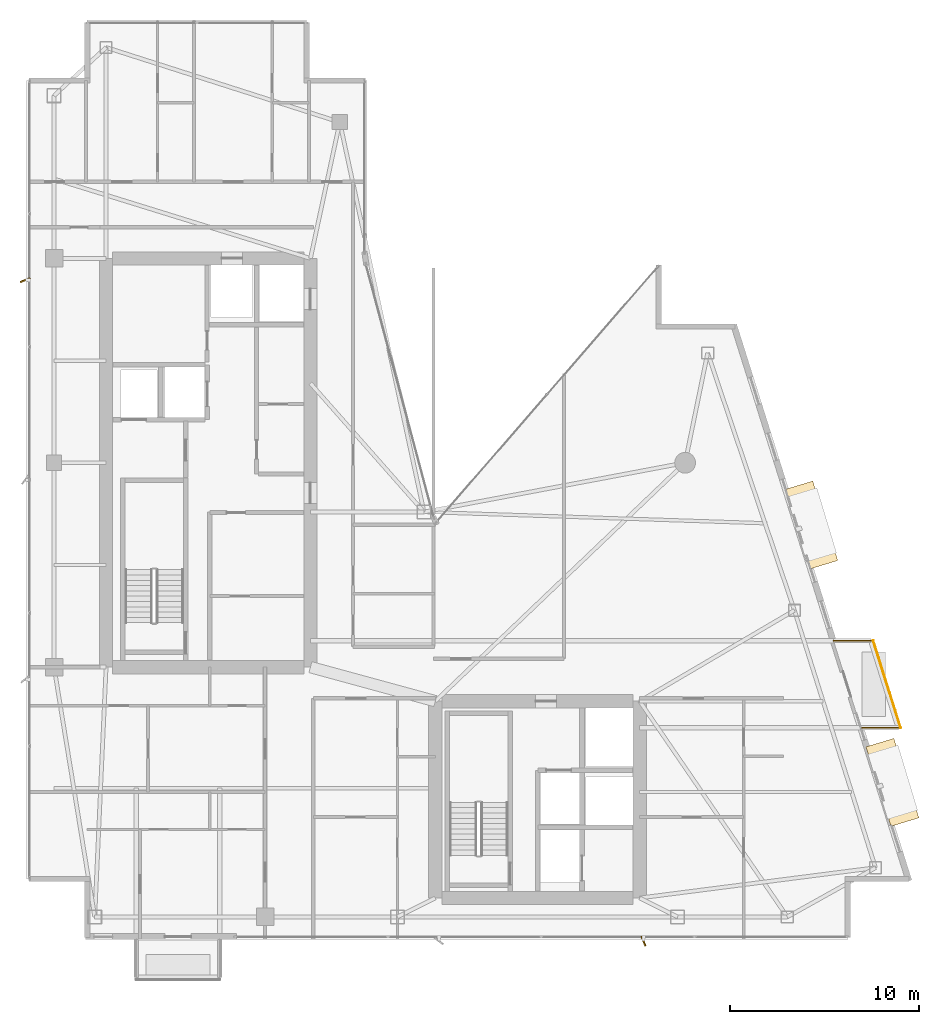
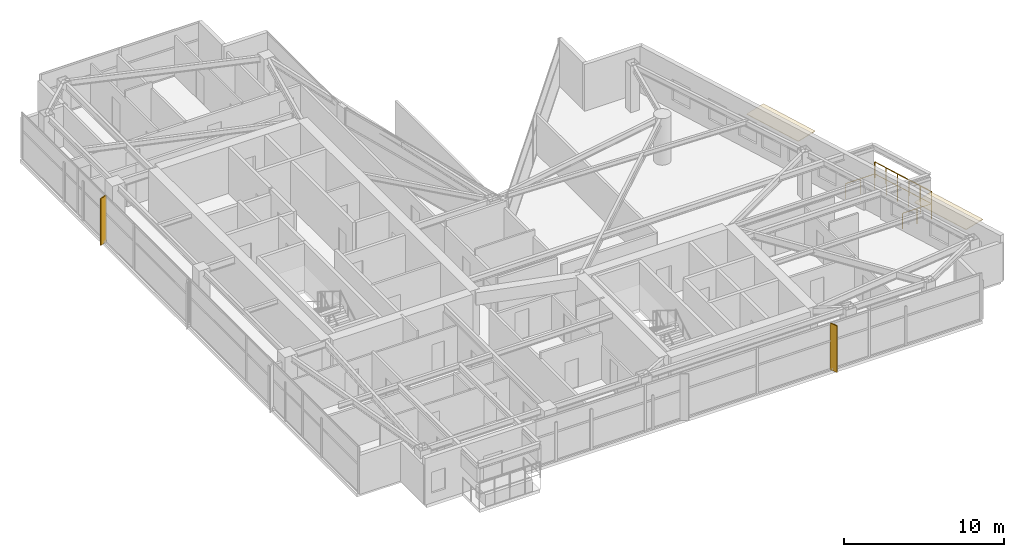
# One storey, part 29 of 29: 2 coverings, 2 railings, 2 shading devices.
"""IFC4 building model written with IfcOpenShell, lengths in metres."""

from ifc_helpers import new_model, si_unit, direction, frame, origin, origin_2d, place, context, subcontext, project, spatial, polyline, rectangle, circle, outline, extrude, material, layer, layer_set, type_object, element, save


model = new_model("IFC4")

# Units and contexts
model_context = context("Model", 3, precision=1e-05, world=origin(), true_north=direction((0.0, 1.0)))
body_context = subcontext(model_context, "Body", "Model", "MODEL_VIEW")
ifc_project = project(units=[si_unit("LENGTHUNIT", "METRE"), si_unit("AREAUNIT", "SQUARE_METRE"), si_unit("VOLUMEUNIT", "CUBIC_METRE"), si_unit("PLANEANGLEUNIT", "RADIAN"), si_unit("MASSUNIT", "GRAM", prefix="KILO")], contexts=[model_context])

# Site, building, storey
site_placement = place(None, origin())
site = spatial("IfcSite", under=ifc_project, at=site_placement, CompositionType="ELEMENT")
building_placement = place(site_placement, origin())
building = spatial("IfcBuilding", under=site, at=building_placement, Name="Calvorn Quay Hotel", CompositionType="ELEMENT")
storey_placement = place(building_placement, frame((0.0, 0.0, 247.60009765625)))
storey = spatial("IfcBuildingStorey", under=building, at=storey_placement, Name="L61", CompositionType="ELEMENT", Elevation=247.60009765625)

# Coverings
ifc_material_1 = material(Name="Pale Anodised Aluminium Rainscreen Cladding", Category="aluminium")
ifc_layer = layer(ifc_material_1, 0.044921875)
ifc_layer_set = layer_set([ifc_layer], Name="COV-CROWN-CLAD")
covering_type = type_object("IfcCoveringType", Name="COV-CROWN-CLAD", PredefinedType="CLADDING", material=ifc_layer_set)
covering_1_placement = place(storey_placement, frame((0.0, 0.0, 2.5048828125)))
element("IfcCovering", 1, at=covering_1_placement, inside=storey, type_object=covering_type, Name="Angled Bay Hood Canopy L61-HOOD-1", PredefinedType="CLADDING", context=body_context, shape_type="SweptSolid", body=[
    extrude(outline(polyline([(44.35693359375, 12.587890625), (45.8310546875, 13.034912109375), (47.154052734375, 8.8349609375), (45.679931640625, 8.387939453125), (44.35693359375, 12.587890625)])), origin(), (0.0, 0.0, 1.0), 0.044921875),
])
covering_2_placement = place(storey_placement, frame((0.0, 0.0, 2.5048828125)))
element("IfcCovering", 2, at=covering_2_placement, inside=storey, type_object=covering_type, Name="Angled Bay Hood Canopy L61-HOOD-3", PredefinedType="CLADDING", context=body_context, shape_type="SweptSolid", body=[
    extrude(outline(polyline([(40.072021484375, 26.18798828125), (41.544921875, 26.635009765625), (42.867919921875, 22.43505859375), (41.39501953125, 21.988037109375), (40.072021484375, 26.18798828125)])), origin(), (0.0, 0.0, 1.0), 0.044921875),
])

# Railings
ifc_material_2 = material(Name="Pale Anodised Aluminium and Laminated Glass", Category="aluminium")
railing_type = type_object("IfcRailingType", Name="RLG-BALUSTRADE-1200", PredefinedType="BALUSTRADE", material=ifc_material_2)
railing_1_placement = place(storey_placement, frame((44.089111328125, 13.60009765625, 0.0)))
element("IfcRailing", 3, at=railing_1_placement, inside=storey, type_object=railing_type, Name="Tree Balcony Perimeter Balustrade L61-BALC-E", PredefinedType="BALUSTRADE", context=body_context, shape_type="SweptSolid", body=[
    extrude(circle(Radius=0.02392578125, at=origin_2d()), frame((0.0, 0.0, 1.17578125), z_axis=(1.0, 0.0, 0.0), x_axis=(0.0, 1.0, 0.0)), (0.0, 0.0, 1.0), 2.099853515625),
    extrude(circle(Radius=0.02392578125, at=origin_2d()), frame((2.099853515625, 0.0, 1.17578125), z_axis=(-0.300450487966, 0.953797412599, 0.0), x_axis=(-0.953797412599, -0.300450487966, 0.0)), (0.0, 0.0, 1.0), 4.82275390625),
    extrude(circle(Radius=0.02392578125, at=origin_2d()), frame((0.65087890625, 4.599853515625, 1.17578125), z_axis=(-1.0, 0.0, 0.0), x_axis=(0.0, -1.0, 0.0)), (0.0, 0.0, 1.0), 2.10009765625),
    extrude(circle(Radius=0.02099609375, at=origin_2d()), origin(), (0.0, 0.0, 1.0), 1.15185546875),
    extrude(circle(Radius=0.02099609375, at=origin_2d()), frame((1.0498046875, 0.0, 0.0)), (0.0, 0.0, 1.0), 1.15185546875),
    extrude(circle(Radius=0.02099609375, at=origin_2d()), frame((2.099853515625, 0.0, 0.0)), (0.0, 0.0, 1.0), 1.15185546875),
    extrude(circle(Radius=0.02099609375, at=origin_2d()), frame((1.81005859375, 0.919921875, 0.0)), (0.0, 0.0, 1.0), 1.15185546875),
    extrude(circle(Radius=0.02099609375, at=origin_2d()), frame((1.520263671875, 1.83984375, 0.0)), (0.0, 0.0, 1.0), 1.15185546875),
    extrude(circle(Radius=0.02099609375, at=origin_2d()), frame((1.23046875, 2.760009765625, 0.0)), (0.0, 0.0, 1.0), 1.15185546875),
    extrude(circle(Radius=0.02099609375, at=origin_2d()), frame((0.940673828125, 3.679931640625, 0.0)), (0.0, 0.0, 1.0), 1.15185546875),
    extrude(circle(Radius=0.02099609375, at=origin_2d()), frame((0.65087890625, 4.599853515625, 0.0)), (0.0, 0.0, 1.0), 1.15185546875),
    extrude(circle(Radius=0.02099609375, at=origin_2d()), frame((-0.399169921875, 4.599853515625, 0.0)), (0.0, 0.0, 1.0), 1.15185546875),
    extrude(circle(Radius=0.02099609375, at=origin_2d()), frame((-1.44921875, 4.599853515625, 0.0)), (0.0, 0.0, 1.0), 1.15185546875),
])
railing_2_placement = place(storey_placement, frame((46.18896484375, 13.60009765625, 0.89990234375)))
element("IfcRailing", 4, at=railing_2_placement, inside=storey, type_object=railing_type, Name="Planter Kerb High Safety Screen L61-BALC-E", PredefinedType="BALUSTRADE", context=body_context, shape_type="SweptSolid", body=[
    extrude(circle(Radius=0.02392578125, at=origin_2d()), frame((0.0, 0.0, 1.19580078125), z_axis=(-0.300450487966, 0.953797412599, 0.0), x_axis=(-0.953797412599, -0.300450487966, 0.0)), (0.0, 0.0, 1.0), 4.82275390625),
    extrude(circle(Radius=0.02099609375, at=origin_2d()), origin(), (0.0, 0.0, 1.0), 1.171875),
    extrude(circle(Radius=0.02099609375, at=origin_2d()), frame((-0.289794921875, 0.919921875, 0.0)), (0.0, 0.0, 1.0), 1.171875),
    extrude(circle(Radius=0.02099609375, at=origin_2d()), frame((-0.57958984375, 1.83984375, 0.0)), (0.0, 0.0, 1.0), 1.171875),
    extrude(circle(Radius=0.02099609375, at=origin_2d()), frame((-0.869384765625, 2.760009765625, 0.0)), (0.0, 0.0, 1.0), 1.171875),
    extrude(circle(Radius=0.02099609375, at=origin_2d()), frame((-1.1591796875, 3.679931640625, 0.0)), (0.0, 0.0, 1.0), 1.171875),
    extrude(circle(Radius=0.02099609375, at=origin_2d()), frame((-1.448974609375, 4.599853515625, 0.0)), (0.0, 0.0, 1.0), 1.171875),
])

# Shading devices
ifc_material_3 = material(Name="Champagne Bronze Anodised Aluminium 6063-T6", Category="aluminium")
shading_device_type = type_object("IfcShadingDeviceType", Name="SHD-FIN-A1", PredefinedType="USERDEFINED", material=ifc_material_3)
for number, where, z_axis, x_axis, name in (
    (5, (-0.080078125, 37.25, -0.000244140625), (0.0, 0.0, 1.0), (0.927183854567, 0.374606593416, 0.0), "Diagonal Sun-Shading Fin L61-W03"),
    (6, (32.60009765625, 2.320068359375, -0.000244140625), (0.0, 0.0, 1.0), (-0.374606593416, 0.927183854567, 0.0), "Diagonal Sun-Shading Fin L61-S02"),
):
    element("IfcShadingDevice", number, at=place(storey_placement, frame(where, z_axis=z_axis, x_axis=x_axis)), inside=storey, type_object=shading_device_type, Name=name, ObjectType="FIN", PredefinedType="USERDEFINED", context=body_context, shape_type="SweptSolid", body=[
        extrude(rectangle(XDim=0.550048828125, YDim=0.080078125, at=origin_2d()), origin(), (0.0, 0.0, 1.0), 3.56005859375),
    ])

save(model, "model.ifc")
